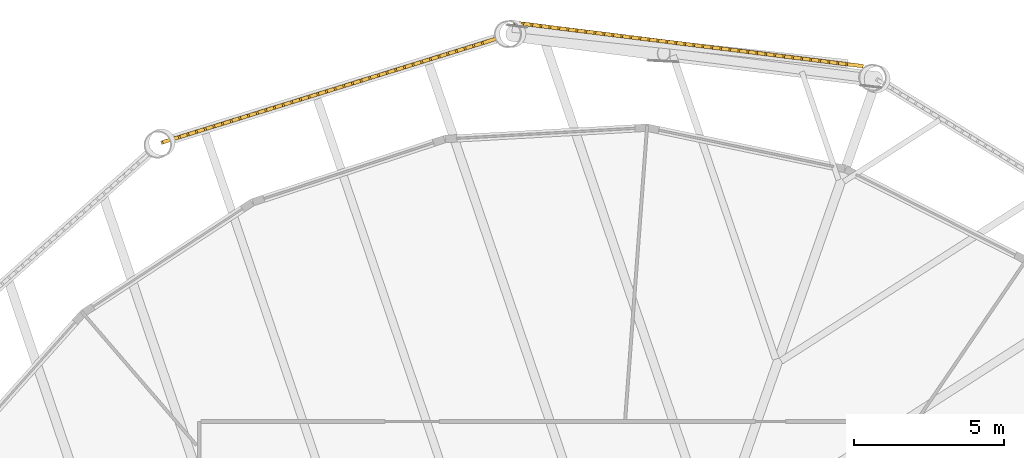
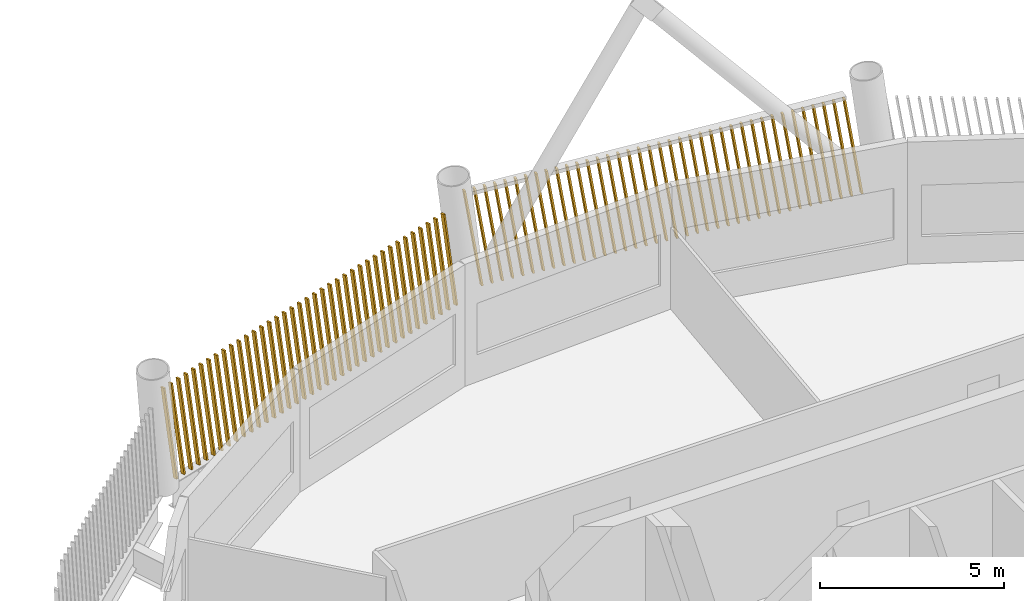
# One storey, part 34 of 35: 2 shading devices.
"""IFC4 building model written with IfcOpenShell, lengths in metres."""

from ifc_helpers import new_model, si_unit, direction, frame, frame_2d, origin, place, context, subcontext, project, spatial, rectangle, composite_profile, extrude, material, type_object, element, save


model = new_model("IFC4")

# Units and contexts
model_context = context("Model", 3, precision=1e-05, world=origin(), true_north=direction((0.0, 1.0)))
body_context = subcontext(model_context, "Body", "Model", "MODEL_VIEW")
ifc_project = project(units=[si_unit("LENGTHUNIT", "METRE"), si_unit("AREAUNIT", "SQUARE_METRE"), si_unit("VOLUMEUNIT", "CUBIC_METRE"), si_unit("PLANEANGLEUNIT", "RADIAN"), si_unit("MASSUNIT", "GRAM", prefix="KILO")], contexts=[model_context])

# Site, building, storey
site_placement = place(None, origin())
site = spatial("IfcSite", under=ifc_project, at=site_placement, CompositionType="ELEMENT")
building_placement = place(site_placement, origin())
building = spatial("IfcBuilding", under=site, at=building_placement, Name="Tarsis Ring Headquarters", CompositionType="ELEMENT")
storey_placement = place(building_placement, frame((0.0, 0.0, 360.800048828125)))
storey = spatial("IfcBuildingStorey", under=building, at=storey_placement, Name="L85", CompositionType="ELEMENT", Elevation=360.800048828125)

# Shading devices
ifc_material = material(Name="Terracotta baguette", Category="masonry")
shading_device_type = type_object("IfcShadingDeviceType", Name="Terracotta baguette screen", PredefinedType="USERDEFINED", material=ifc_material)
shading_device_1_placement = place(storey_placement, frame((9.1416015625, 27.853271484375, 0.0), z_axis=(0.0, 0.0, 1.0), x_axis=(-0.992316874661, 0.123754747694, 0.0)))
element("IfcShadingDevice", 1, at=shading_device_1_placement, inside=storey, type_object=shading_device_type, Name="Baguette screen L85-09", ObjectType="Terracotta baguette screen", PredefinedType="USERDEFINED", context=body_context, shape_type="SweptSolid", body=[
    extrude(composite_profile([rectangle(XDim=0.06005859375, YDim=0.1201171875, at=frame_2d((0.030029296875, 0.0))), rectangle(XDim=0.06005859375, YDim=0.1201171875, at=frame_2d((0.33251953125, 0.0))), rectangle(XDim=0.06005859375, YDim=0.1201171875, at=frame_2d((0.634765625, 0.0))), rectangle(XDim=0.06005859375, YDim=0.1201171875, at=frame_2d((0.937255859375, 0.0))), rectangle(XDim=0.06005859375, YDim=0.1201171875, at=frame_2d((1.239501953125, 0.0))), rectangle(XDim=0.06005859375, YDim=0.1201171875, at=frame_2d((1.5419921875, 0.0))), rectangle(XDim=0.06005859375, YDim=0.1201171875, at=frame_2d((1.844482421875, 0.0))), rectangle(XDim=0.06005859375, YDim=0.1201171875, at=frame_2d((2.146728515625, 0.0))), rectangle(XDim=0.06005859375, YDim=0.1201171875, at=frame_2d((2.44921875, 0.0))), rectangle(XDim=0.06005859375, YDim=0.1201171875, at=frame_2d((2.751708984375, 0.0))), rectangle(XDim=0.06005859375, YDim=0.1201171875, at=frame_2d((3.053955078125, 0.0))), rectangle(XDim=0.06005859375, YDim=0.1201171875, at=frame_2d((3.3564453125, 0.0))), rectangle(XDim=0.06005859375, YDim=0.1201171875, at=frame_2d((3.65869140625, 0.0))), rectangle(XDim=0.06005859375, YDim=0.1201171875, at=frame_2d((3.961181640625, 0.0))), rectangle(XDim=0.06005859375, YDim=0.1201171875, at=frame_2d((4.263671875, 0.0))), rectangle(XDim=0.06005859375, YDim=0.1201171875, at=frame_2d((4.56591796875, 0.0))), rectangle(XDim=0.06005859375, YDim=0.1201171875, at=frame_2d((4.868408203125, 0.0))), rectangle(XDim=0.06005859375, YDim=0.1201171875, at=frame_2d((5.1708984375, 0.0))), rectangle(XDim=0.06005859375, YDim=0.1201171875, at=frame_2d((5.47314453125, 0.0))), rectangle(XDim=0.06005859375, YDim=0.1201171875, at=frame_2d((5.775634765625, 0.0))), rectangle(XDim=0.06005859375, YDim=0.1201171875, at=frame_2d((6.077880859375, 0.0))), rectangle(XDim=0.06005859375, YDim=0.1201171875, at=frame_2d((6.38037109375, 0.0))), rectangle(XDim=0.06005859375, YDim=0.1201171875, at=frame_2d((6.682861328125, 0.0))), rectangle(XDim=0.06005859375, YDim=0.1201171875, at=frame_2d((6.985107421875, 0.0))), rectangle(XDim=0.06005859375, YDim=0.1201171875, at=frame_2d((7.28759765625, 0.0))), rectangle(XDim=0.06005859375, YDim=0.1201171875, at=frame_2d((7.590087890625, 0.0))), rectangle(XDim=0.06005859375, YDim=0.1201171875, at=frame_2d((7.892333984375, 0.0))), rectangle(XDim=0.06005859375, YDim=0.1201171875, at=frame_2d((8.19482421875, 0.0))), rectangle(XDim=0.06005859375, YDim=0.1201171875, at=frame_2d((8.4970703125, 0.0))), rectangle(XDim=0.06005859375, YDim=0.1201171875, at=frame_2d((8.799560546875, 0.0))), rectangle(XDim=0.06005859375, YDim=0.1201171875, at=frame_2d((9.10205078125, 0.0))), rectangle(XDim=0.06005859375, YDim=0.1201171875, at=frame_2d((9.404296875, 0.0))), rectangle(XDim=0.06005859375, YDim=0.1201171875, at=frame_2d((9.706787109375, 0.0))), rectangle(XDim=0.06005859375, YDim=0.1201171875, at=frame_2d((10.00927734375, 0.0))), rectangle(XDim=0.06005859375, YDim=0.1201171875, at=frame_2d((10.3115234375, 0.0))), rectangle(XDim=0.06005859375, YDim=0.1201171875, at=frame_2d((10.614013671875, 0.0))), rectangle(XDim=0.06005859375, YDim=0.1201171875, at=frame_2d((10.916259765625, 0.0))), rectangle(XDim=0.06005859375, YDim=0.1201171875, at=frame_2d((11.21875, 0.0)))]), origin(), (0.157202738577, 0.001426816078, 0.987565320969), 3.32177734375),
])
shading_device_2_placement = place(storey_placement, frame((-3.040771484375, 28.787109375, 0.0), z_axis=(0.0, 0.0, 1.0), x_axis=(-0.955095928466, -0.296271377724, 0.0)))
element("IfcShadingDevice", 2, at=shading_device_2_placement, inside=storey, type_object=shading_device_type, Name="Baguette screen L85-10", ObjectType="Terracotta baguette screen", PredefinedType="USERDEFINED", context=body_context, shape_type="SweptSolid", body=[
    extrude(composite_profile([rectangle(XDim=0.06005859375, YDim=0.1201171875, at=frame_2d((0.030029296875, 0.0))), rectangle(XDim=0.06005859375, YDim=0.1201171875, at=frame_2d((0.33251953125, 0.0))), rectangle(XDim=0.06005859375, YDim=0.1201171875, at=frame_2d((0.634765625, 0.0))), rectangle(XDim=0.06005859375, YDim=0.1201171875, at=frame_2d((0.937255859375, 0.0))), rectangle(XDim=0.06005859375, YDim=0.1201171875, at=frame_2d((1.239501953125, 0.0))), rectangle(XDim=0.06005859375, YDim=0.1201171875, at=frame_2d((1.5419921875, 0.0))), rectangle(XDim=0.06005859375, YDim=0.1201171875, at=frame_2d((1.844482421875, 0.0))), rectangle(XDim=0.06005859375, YDim=0.1201171875, at=frame_2d((2.146728515625, 0.0))), rectangle(XDim=0.06005859375, YDim=0.1201171875, at=frame_2d((2.44921875, 0.0))), rectangle(XDim=0.06005859375, YDim=0.1201171875, at=frame_2d((2.751708984375, 0.0))), rectangle(XDim=0.06005859375, YDim=0.1201171875, at=frame_2d((3.053955078125, 0.0))), rectangle(XDim=0.06005859375, YDim=0.1201171875, at=frame_2d((3.3564453125, 0.0))), rectangle(XDim=0.06005859375, YDim=0.1201171875, at=frame_2d((3.65869140625, 0.0))), rectangle(XDim=0.06005859375, YDim=0.1201171875, at=frame_2d((3.961181640625, 0.0))), rectangle(XDim=0.06005859375, YDim=0.1201171875, at=frame_2d((4.263671875, 0.0))), rectangle(XDim=0.06005859375, YDim=0.1201171875, at=frame_2d((4.56591796875, 0.0))), rectangle(XDim=0.06005859375, YDim=0.1201171875, at=frame_2d((4.868408203125, 0.0))), rectangle(XDim=0.06005859375, YDim=0.1201171875, at=frame_2d((5.1708984375, 0.0))), rectangle(XDim=0.06005859375, YDim=0.1201171875, at=frame_2d((5.47314453125, 0.0))), rectangle(XDim=0.06005859375, YDim=0.1201171875, at=frame_2d((5.775634765625, 0.0))), rectangle(XDim=0.06005859375, YDim=0.1201171875, at=frame_2d((6.077880859375, 0.0))), rectangle(XDim=0.06005859375, YDim=0.1201171875, at=frame_2d((6.38037109375, 0.0))), rectangle(XDim=0.06005859375, YDim=0.1201171875, at=frame_2d((6.682861328125, 0.0))), rectangle(XDim=0.06005859375, YDim=0.1201171875, at=frame_2d((6.985107421875, 0.0))), rectangle(XDim=0.06005859375, YDim=0.1201171875, at=frame_2d((7.28759765625, 0.0))), rectangle(XDim=0.06005859375, YDim=0.1201171875, at=frame_2d((7.590087890625, 0.0))), rectangle(XDim=0.06005859375, YDim=0.1201171875, at=frame_2d((7.892333984375, 0.0))), rectangle(XDim=0.06005859375, YDim=0.1201171875, at=frame_2d((8.19482421875, 0.0))), rectangle(XDim=0.06005859375, YDim=0.1201171875, at=frame_2d((8.4970703125, 0.0))), rectangle(XDim=0.06005859375, YDim=0.1201171875, at=frame_2d((8.799560546875, 0.0))), rectangle(XDim=0.06005859375, YDim=0.1201171875, at=frame_2d((9.10205078125, 0.0))), rectangle(XDim=0.06005859375, YDim=0.1201171875, at=frame_2d((9.404296875, 0.0))), rectangle(XDim=0.06005859375, YDim=0.1201171875, at=frame_2d((9.706787109375, 0.0))), rectangle(XDim=0.06005859375, YDim=0.1201171875, at=frame_2d((10.00927734375, 0.0))), rectangle(XDim=0.06005859375, YDim=0.1201171875, at=frame_2d((10.3115234375, 0.0))), rectangle(XDim=0.06005859375, YDim=0.1201171875, at=frame_2d((10.614013671875, 0.0))), rectangle(XDim=0.06005859375, YDim=0.1201171875, at=frame_2d((10.916259765625, 0.0))), rectangle(XDim=0.06005859375, YDim=0.1201171875, at=frame_2d((11.21875, 0.0)))]), origin(), (0.155201846314, 0.001408081297, 0.987881776433), 3.32080078125),
])

save(model, "model.ifc")
